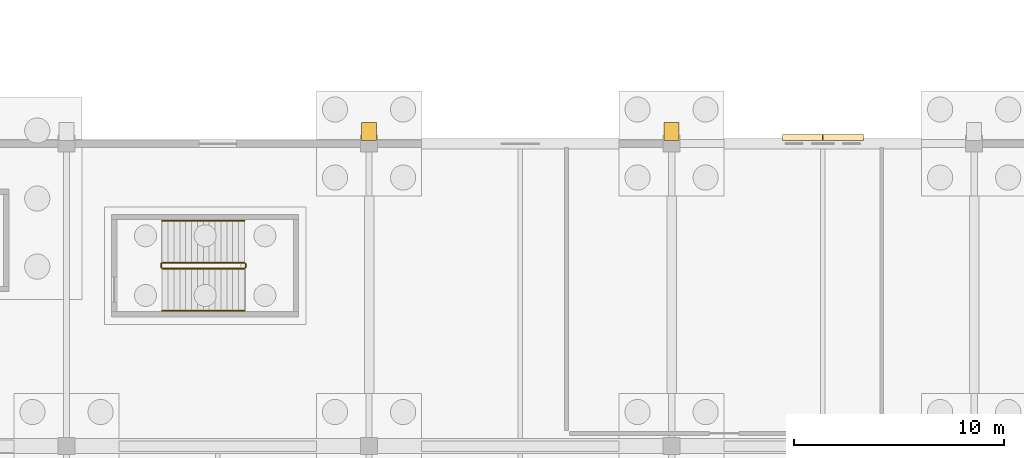
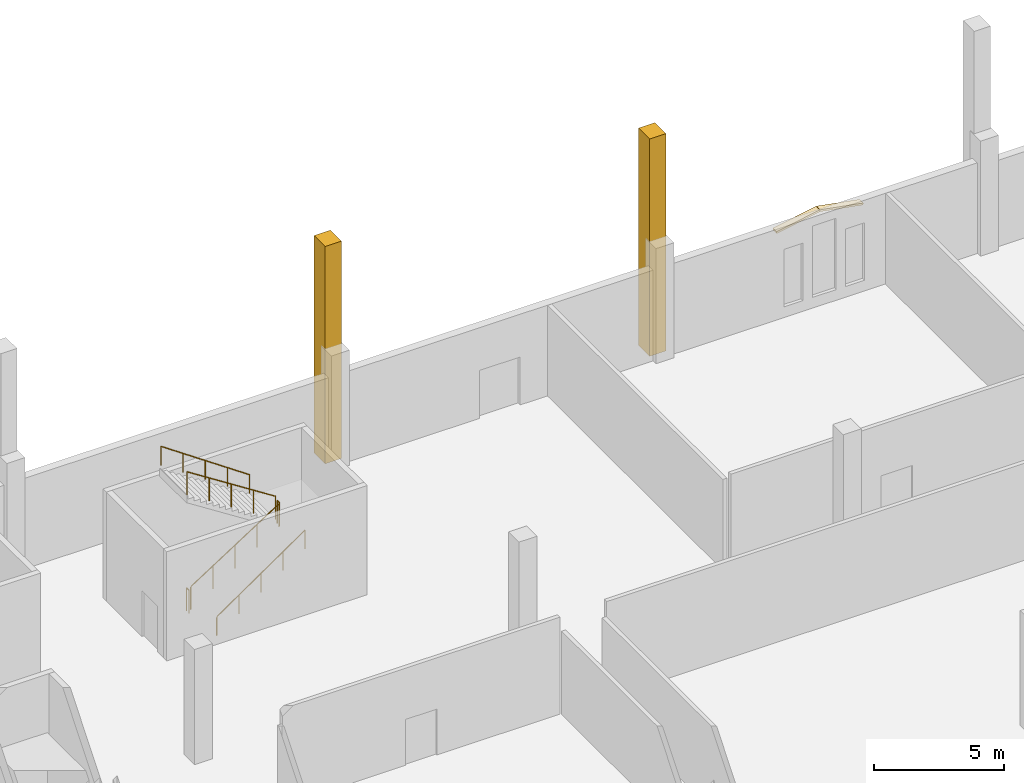
# One storey, part 190 of 192: 6 railings, 4 coverings.
"""IFC4 building model written with IfcOpenShell, lengths in metres."""

from ifc_helpers import new_model, si_unit, direction, frame, origin, origin_2d, place, context, subcontext, project, spatial, polyline, circle, outline, extrude, material, layer, layer_set, type_object, element, save


model = new_model("IFC4")

# Units and contexts
model_context = context("Model", 3, precision=1e-05, world=origin(), true_north=direction((0.0, 1.0)))
body_context = subcontext(model_context, "Body", "Model", "MODEL_VIEW")
ifc_project = project(units=[si_unit("LENGTHUNIT", "METRE"), si_unit("AREAUNIT", "SQUARE_METRE"), si_unit("VOLUMEUNIT", "CUBIC_METRE"), si_unit("PLANEANGLEUNIT", "RADIAN"), si_unit("MASSUNIT", "GRAM", prefix="KILO")], contexts=[model_context])

# Site, building, storey
site_placement = place(None, origin())
site = spatial("IfcSite", under=ifc_project, at=site_placement, CompositionType="ELEMENT")
building_placement = place(site_placement, origin())
building = spatial("IfcBuilding", under=site, at=building_placement, Name="Cendralis Lancet Convention Centre", CompositionType="ELEMENT")
storey_placement = place(building_placement, origin())
storey = spatial("IfcBuildingStorey", under=building, at=storey_placement, Name="L00", CompositionType="ELEMENT", Elevation=0.0)

# Coverings
ifc_material_1 = material(Name="Warm buff sandstone chevron cassette", Category="masonry")
ifc_layer = layer(ifc_material_1, 0.06005859375, Name="Warm buff sandstone chevron cassette")
ifc_layer_set = layer_set([ifc_layer], Name="Warm buff sandstone chevron cassette")
covering_type = type_object("IfcCoveringType", Name="ARC-CV-CLAD1", PredefinedType="CLADDING", material=ifc_layer_set)
for number, where, z_axis, x_axis, name in (
    (1, (173.27001953125, 137.239990234375, 3.8701171875), (-0.181811638913, 0.0, 0.983333375797), (0.0, -1.0, 0.0), "L00 Gothic Pointed Lancet Hood-Mould #0165L"),
    (2, (175.2099609375, 137.239990234375, 4.22509765625), (0.181811638913, 0.0, 0.983333375797), (0.0, -1.0, 0.0), "L00 Gothic Pointed Lancet Hood-Mould #0166R"),
):
    element("IfcCovering", number, at=place(storey_placement, frame(where, z_axis=z_axis, x_axis=x_axis)), inside=storey, type_object=covering_type, Name=name, PredefinedType="CLADDING", context=body_context, shape_type="SweptSolid", body=[
        extrude(outline(polyline([(0.0, 0.0), (0.284912109375, 0.0), (0.284912109375, 1.9524628394152566), (0.0, 1.9524628394152566), (0.0, 0.0)])), origin(), (0.0, 0.0, -1.0), 0.090087890625),
    ])
covering_1_placement = place(storey_placement, origin())
element("IfcCovering", 3, at=covering_1_placement, inside=storey, type_object=covering_type, Name="Gothic Stepped Stone Buttress Base #0056", PredefinedType="CLADDING", context=body_context, shape_type="SweptSolid", body=[
    extrude(outline(polyline([(153.9599609375, 137.800048828125), (153.239990234375, 137.800048828125), (153.239990234375, 136.949951171875), (153.9599609375, 136.949951171875), (153.9599609375, 137.800048828125)])), origin(), (0.0, 0.0, 1.0), 10.199951171875),
])
covering_2_placement = place(storey_placement, origin())
element("IfcCovering", 4, at=covering_2_placement, inside=storey, type_object=covering_type, Name="Gothic Stepped Stone Buttress Base #0058", PredefinedType="CLADDING", context=body_context, shape_type="SweptSolid", body=[
    extrude(outline(polyline([(168.360107421875, 137.800048828125), (167.639892578125, 137.800048828125), (167.639892578125, 136.949951171875), (168.360107421875, 136.949951171875), (168.360107421875, 137.800048828125)])), origin(), (0.0, 0.0, 1.0), 10.199951171875),
])

# Railings
ifc_material_2 = material(Name="Steel S355", Category="steel")
railing_type_1 = type_object("IfcRailingType", Name="ARC-RL-CGD", PredefinedType="GUARDRAIL", material=ifc_material_2)
railing_1_placement = place(storey_placement, frame((143.75, 130.85009765625, 0.179931640625)))
element("IfcRailing", 5, at=railing_1_placement, inside=storey, type_object=railing_type_1, Name="L00 ST-19 stair guard 1", PredefinedType="GUARDRAIL", context=body_context, shape_type="SweptSolid", body=[
    extrude(circle(Radius=0.02392578125, at=origin_2d()), frame((0.0, 0.0, 1.076171875), z_axis=(0.841171666519, 0.0, 0.540768182723), x_axis=(0.0, 1.0, 0.0)), (0.0, 0.0, 1.0), 4.66015625),
    extrude(circle(Radius=0.02099609375, at=origin_2d()), origin(), (0.0, 0.0, 1.0), 1.052001953125),
    extrude(circle(Radius=0.02099609375, at=origin_2d()), frame((0.97998046875, 0.0, 0.6298828125)), (0.0, 0.0, 1.0), 1.052001953125),
    extrude(circle(Radius=0.02099609375, at=origin_2d()), frame((1.9599609375, 0.0, 1.260009765625)), (0.0, 0.0, 1.0), 1.052001953125),
    extrude(circle(Radius=0.02099609375, at=origin_2d()), frame((2.93994140625, 0.0, 1.89013671875)), (0.0, 0.0, 1.0), 1.052001953125),
    extrude(circle(Radius=0.02099609375, at=origin_2d()), frame((3.919921875, 0.0, 2.52001953125)), (0.0, 0.0, 1.0), 1.052001953125),
])
railing_2_placement = place(storey_placement, frame((147.719970703125, 130.89990234375, 2.699951171875)))
element("IfcRailing", 6, at=railing_2_placement, inside=storey, type_object=railing_type_1, Name="L00 ST-19 stair guard 2", PredefinedType="GUARDRAIL", context=body_context, shape_type="SweptSolid", body=[
    extrude(circle(Radius=0.02392578125, at=origin_2d()), frame((0.0, 0.0, 1.076171875), z_axis=(0.0, 1.0, 0.0), x_axis=(-1.0, 0.0, 0.0)), (0.0, 0.0, 1.0), 0.18017578125),
    extrude(circle(Radius=0.02099609375, at=origin_2d()), origin(), (0.0, 0.0, 1.0), 1.052001953125),
    extrude(circle(Radius=0.02099609375, at=origin_2d()), frame((0.0, 0.18017578125, 0.0)), (0.0, 0.0, 1.0), 1.052001953125),
])
railing_3_placement = place(storey_placement, frame((147.669921875, 131.1298828125, 2.8798828125)))
element("IfcRailing", 7, at=railing_3_placement, inside=storey, type_object=railing_type_1, Name="L00 ST-19 stair guard 3", PredefinedType="GUARDRAIL", context=body_context, shape_type="SweptSolid", body=[
    extrude(circle(Radius=0.02392578125, at=origin_2d()), frame((0.0, 0.0, 1.076171875), z_axis=(-0.841171666519, 0.0, 0.540768182723), x_axis=(0.0, -1.0, 0.0)), (0.0, 0.0, 1.0), 4.66015625),
    extrude(circle(Radius=0.02099609375, at=origin_2d()), origin(), (0.0, 0.0, 1.0), 1.052001953125),
    extrude(circle(Radius=0.02099609375, at=origin_2d()), frame((-0.97998046875, 0.0, 0.6298828125)), (0.0, 0.0, 1.0), 1.052001953125),
    extrude(circle(Radius=0.02099609375, at=origin_2d()), frame((-1.9599609375, 0.0, 1.260009765625)), (0.0, 0.0, 1.0), 1.052001953125),
    extrude(circle(Radius=0.02099609375, at=origin_2d()), frame((-2.93994140625, 0.0, 1.89013671875)), (0.0, 0.0, 1.0), 1.052001953125),
    extrude(circle(Radius=0.02099609375, at=origin_2d()), frame((-3.919921875, 0.0, 2.52001953125)), (0.0, 0.0, 1.0), 1.052001953125),
])
railing_4_placement = place(storey_placement, frame((143.699951171875, 130.89990234375, 0.0)))
element("IfcRailing", 8, at=railing_4_placement, inside=storey, type_object=railing_type_1, Name="L00 ST-19 stair guard 4", PredefinedType="GUARDRAIL", context=body_context, shape_type="SweptSolid", body=[
    extrude(circle(Radius=0.02392578125, at=origin_2d()), frame((0.0, 0.0, 1.076171875), z_axis=(0.0, 1.0, 0.0), x_axis=(-1.0, 0.0, 0.0)), (0.0, 0.0, 1.0), 0.18017578125),
    extrude(circle(Radius=0.02099609375, at=origin_2d()), origin(), (0.0, 0.0, 1.0), 1.052001953125),
    extrude(circle(Radius=0.02099609375, at=origin_2d()), frame((0.0, 0.18017578125, 0.0)), (0.0, 0.0, 1.0), 1.052001953125),
])
railing_type_2 = type_object("IfcRailingType", Name="ARC-RL-CHR", PredefinedType="HANDRAIL", material=ifc_material_2)
railing_5_placement = place(storey_placement, frame((143.75, 128.85009765625, 0.179931640625)))
element("IfcRailing", 9, at=railing_5_placement, inside=storey, type_object=railing_type_2, Name="L00 ST-19 stair handrail 1", PredefinedType="HANDRAIL", context=body_context, shape_type="SweptSolid", body=[
    extrude(circle(Radius=0.02392578125, at=origin_2d()), frame((0.0, 0.0, 0.8759765625), z_axis=(0.823550731654, 0.0, 0.567242622158), x_axis=(0.0, 1.0, 0.0)), (0.0, 0.0, 1.0), 4.759765625),
    extrude(circle(Radius=0.02099609375, at=origin_2d()), origin(), (0.0, 0.0, 1.0), 0.851806640625),
    extrude(circle(Radius=0.02099609375, at=origin_2d()), frame((0.97998046875, 0.0, 0.675048828125)), (0.0, 0.0, 1.0), 0.851806640625),
    extrude(circle(Radius=0.02099609375, at=origin_2d()), frame((1.9599609375, 0.0, 1.35009765625)), (0.0, 0.0, 1.0), 0.851806640625),
    extrude(circle(Radius=0.02099609375, at=origin_2d()), frame((2.93994140625, 0.0, 2.02490234375)), (0.0, 0.0, 1.0), 0.851806640625),
    extrude(circle(Radius=0.02099609375, at=origin_2d()), frame((3.919921875, 0.0, 2.699951171875)), (0.0, 0.0, 1.0), 0.851806640625),
])
railing_6_placement = place(storey_placement, frame((147.669921875, 133.1298828125, 2.8798828125)))
element("IfcRailing", 10, at=railing_6_placement, inside=storey, type_object=railing_type_2, Name="L00 ST-19 stair handrail 2", PredefinedType="HANDRAIL", context=body_context, shape_type="SweptSolid", body=[
    extrude(circle(Radius=0.02392578125, at=origin_2d()), frame((0.0, 0.0, 0.8759765625), z_axis=(-0.823526770215, 0.0, 0.56727740898), x_axis=(0.0, -1.0, 0.0)), (0.0, 0.0, 1.0), 4.760009765625),
    extrude(circle(Radius=0.02099609375, at=origin_2d()), origin(), (0.0, 0.0, 1.0), 0.851806640625),
    extrude(circle(Radius=0.02099609375, at=origin_2d()), frame((-0.97998046875, 0.0, 0.675048828125)), (0.0, 0.0, 1.0), 0.851806640625),
    extrude(circle(Radius=0.02099609375, at=origin_2d()), frame((-1.9599609375, 0.0, 1.35009765625)), (0.0, 0.0, 1.0), 0.851806640625),
    extrude(circle(Radius=0.02099609375, at=origin_2d()), frame((-2.93994140625, 0.0, 2.025146484375)), (0.0, 0.0, 1.0), 0.851806640625),
    extrude(circle(Radius=0.02099609375, at=origin_2d()), frame((-3.919921875, 0.0, 2.7001953125)), (0.0, 0.0, 1.0), 0.851806640625),
])

save(model, "model.ifc")
